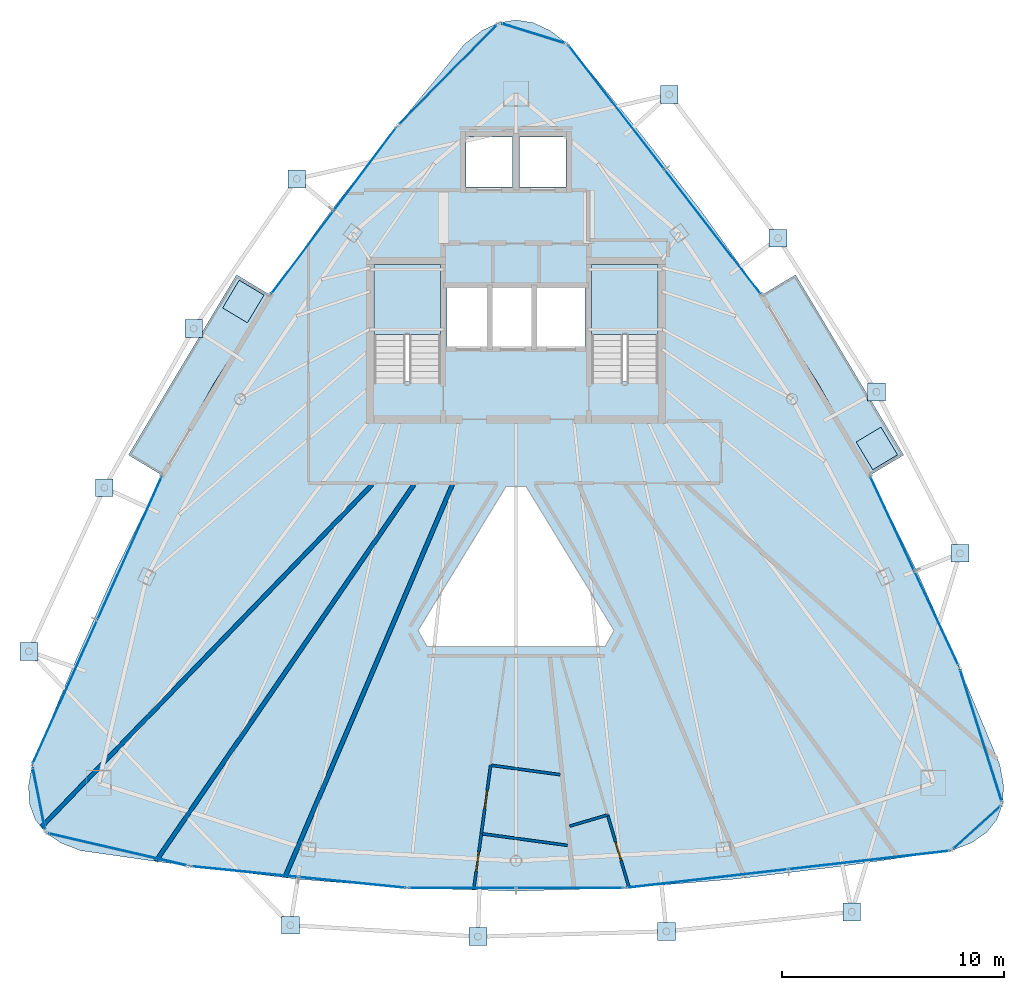
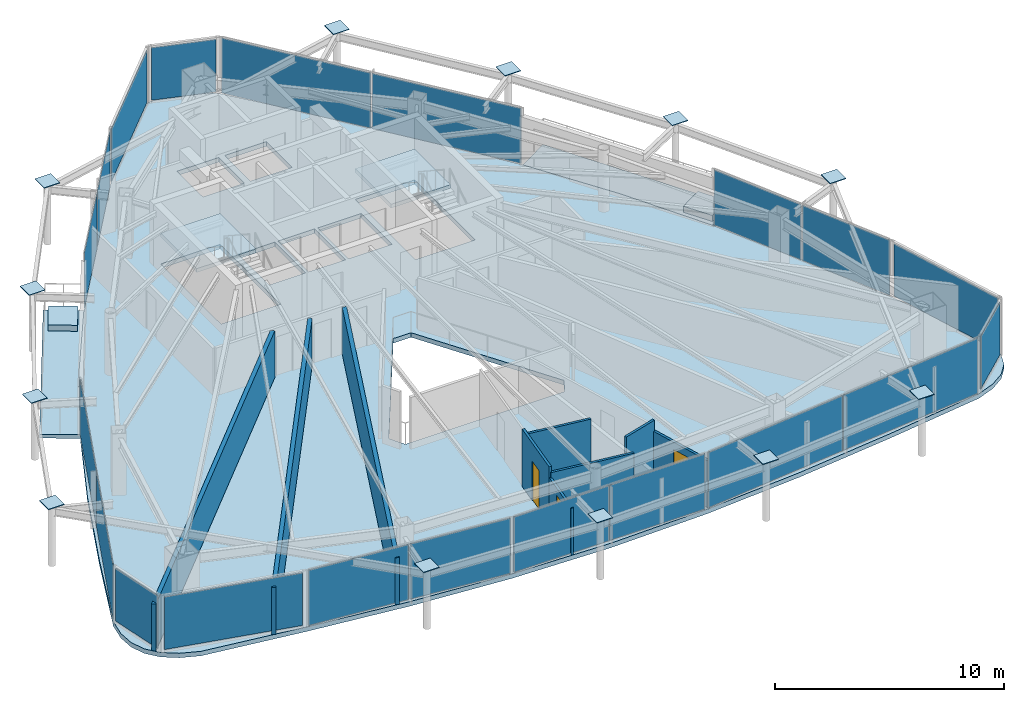
# One storey, part 24 of 28: 32 plates, 9 walls, 7 slabs, 3 doors, 3 openings, 15 elements without a shape of their own.
"""IFC4 building model written with IfcOpenShell, lengths in metres."""

from ifc_helpers import new_model, si_unit, direction, frame, frame_2d, origin, origin_2d, place, context, subcontext, project, spatial, polyline, rectangle, outline, extrude, material, layer, layer_set, type_object, element, fill, aggregate, save


model = new_model("IFC4")

# Units and contexts
model_context = context("Model", 3, precision=1e-05, world=origin(), true_north=direction((0.0, 1.0)))
body_context = subcontext(model_context, "Body", "Model", "MODEL_VIEW")
ifc_project = project(units=[si_unit("LENGTHUNIT", "METRE"), si_unit("AREAUNIT", "SQUARE_METRE"), si_unit("VOLUMEUNIT", "CUBIC_METRE"), si_unit("PLANEANGLEUNIT", "RADIAN"), si_unit("MASSUNIT", "GRAM", prefix="KILO")], contexts=[model_context])

# Site, building, storey
site_placement = place(None, origin())
site = spatial("IfcSite", under=ifc_project, at=site_placement, CompositionType="ELEMENT")
building_placement = place(site_placement, origin())
building = spatial("IfcBuilding", under=site, at=building_placement, Name="Orvanel Arch Residences", CompositionType="ELEMENT")
storey_placement = place(building_placement, frame((0.0, 0.0, 266.75)))
storey = spatial("IfcBuildingStorey", under=building, at=storey_placement, Name="L76", CompositionType="ELEMENT", Elevation=266.75)

# Plates
ifc_material_1 = material(Name="Structural steel AS/NZS 3678 Grade 350", Category="steel")
ifc_layer_1 = layer(ifc_material_1, 0.031982421875)
ifc_layer_set_1 = layer_set([ifc_layer_1], Name="Structural steel AS/NZS 3678 Grade 350")
plate_type_1 = type_object("IfcPlateType", Name="PL-CAP-32", PredefinedType="SHEET", material=ifc_layer_set_1)
for number, where, z_axis, x_axis, name in (
    (1, (23.123046875, 37.556884765625, 3.2841796875), (0.0, 0.0, 1.0), (1.0, 0.0, 0.0), "L76 hollow member end cap plate"),
    (2, (18.48095703125, 30.81689453125, 3.2841796875), (0.0, 0.0, 1.0), (1.0, 0.0, 0.0), "L76 hollow member end cap plate"),
    (3, (14.45703125, 23.65087890625, 3.2841796875), (0.0, 0.0, 1.0), (1.0, 0.0, 0.0), "L76 hollow member end cap plate"),
    (4, (11.05908203125, 16.277099609375, 3.2841796875), (0.0, 0.0, 1.0), (1.0, 0.0, 0.0), "L76 hollow member end cap plate"),
    (5, (22.8369140625, 3.944091796875, 3.2841796875), (0.0, 0.0, 1.0), (1.0, 0.0, 0.0), "L76 hollow member end cap plate"),
    (6, (31.281005859375, 3.430908203125, 3.2841796875), (0.0, 0.0, 1.0), (1.0, 0.0, 0.0), "L76 hollow member end cap plate"),
    (7, (39.77099609375, 3.6650390625, 3.2841796875), (0.0, 0.0, 1.0), (1.0, 0.0, 0.0), "L76 hollow member end cap plate"),
    (8, (48.12109375, 4.5439453125, 3.2841796875), (0.0, 0.0, 1.0), (1.0, 0.0, 0.0), "L76 hollow member end cap plate"),
    (9, (52.990966796875, 20.695068359375, 3.2841796875), (0.0, 0.0, 1.0), (1.0, 0.0, 0.0), "L76 hollow member end cap plate"),
    (10, (49.22998046875, 27.964111328125, 3.2841796875), (0.0, 0.0, 1.0), (1.0, 0.0, 0.0), "L76 hollow member end cap plate"),
    (11, (44.802978515625, 34.887939453125, 3.2841796875), (0.0, 0.0, 1.0), (1.0, 0.0, 0.0), "L76 hollow member end cap plate"),
    (12, (39.89697265625, 41.35693359375, 3.2841796875), (0.0, 0.0, 1.0), (1.0, 0.0, 0.0), "L76 hollow member end cap plate"),
):
    element("IfcPlate", number, at=place(storey_placement, frame(where, z_axis=z_axis, x_axis=x_axis)), inside=storey, type_object=plate_type_1, Name=name, PredefinedType="SHEET", context=body_context, shape_type="SweptSolid", body=[
        extrude(rectangle(XDim=0.800048828125, YDim=0.800048828125, at=origin_2d()), origin(), (0.0, 0.0, 1.0), 0.031982421875),
    ])

# Curtain wall, plates
ifc_material_2 = material(Name="Bronze-anodised aluminium AA6063-T6", Category="aluminium")
ifc_layer_2 = layer(ifc_material_2, 0.175048828125)
ifc_layer_set_2 = layer_set([ifc_layer_2], Name="Bronze-anodised aluminium AA6063-T6")
curtain_wall_type_1 = type_object("IfcCurtainWallType", Name="CW4-HI-SYS", PredefinedType="NOTDEFINED", material=ifc_layer_set_2)
curtain_wall_1_placement = place(storey_placement, origin())
curtain_wall_1 = element("IfcCurtainWall", 13, at=curtain_wall_1_placement, inside=storey, type_object=curtain_wall_type_1, Name="L76 CW4-HI-SYS Unitised Curtain Wall", PredefinedType="NOTDEFINED")
ifc_material_3 = material(Name="Double-glazed solar-control low-E safety glass", Category="glass")
ifc_layer_3 = layer(ifc_material_3, 0.028076171875)
ifc_layer_set_3 = layer_set([ifc_layer_3], Name="Double-glazed solar-control low-E safety glass")
plate_type_2 = type_object("IfcPlateType", Name="PNL-GLZ-28", PredefinedType="CURTAIN_PANEL", material=ifc_layer_set_3)
plate_1_placement = place(storey_placement, frame((26.206298828125, 38.007568359375, 0.06005859375), z_axis=(0.0, 0.0, 1.0), x_axis=(-0.60030390804, -0.799771978749, 0.0)))
plate_1 = element("IfcPlate", 14, at=plate_1_placement, type_object=plate_type_2, Name="CW-S4 panel 1.1", PredefinedType="CURTAIN_PANEL", context=body_context, shape_type="SweptSolid", body=[
    extrude(rectangle(XDim=4.64013671875, YDim=0.028076171875, at=origin_2d()), origin(), (0.0, 0.0, 1.0), 2.93994140625),
])
plate_2_placement = place(storey_placement, frame((23.3818359375, 34.244384765625, 0.06005859375), z_axis=(0.0, 0.0, 1.0), x_axis=(-0.60030390804, -0.799771978749, 0.0)))
plate_2 = element("IfcPlate", 15, at=plate_2_placement, type_object=plate_type_2, Name="CW-S4 panel 2.1", PredefinedType="CURTAIN_PANEL", context=body_context, shape_type="SweptSolid", body=[
    extrude(rectangle(XDim=4.64013671875, YDim=0.028076171875, at=origin_2d()), origin(), (0.0, 0.0, 1.0), 2.93994140625),
])
aggregate(curtain_wall_1, [plate_1, plate_2])

curtain_wall_2_placement = place(storey_placement, origin())
curtain_wall_2 = element("IfcCurtainWall", 16, at=curtain_wall_2_placement, inside=storey, type_object=curtain_wall_type_1, Name="L76 CW4-HI-SYS Unitised Curtain Wall", PredefinedType="NOTDEFINED")
plate_3_placement = place(storey_placement, frame((15.59375, 20.922607421875, 0.06005859375), z_axis=(0.0, 0.0, 1.0), x_axis=(-0.410078819456, -0.912050087349, 0.0)))
plate_3 = element("IfcPlate", 17, at=plate_3_placement, type_object=plate_type_2, Name="CW-S4 panel 1.1", PredefinedType="CURTAIN_PANEL", context=body_context, shape_type="SweptSolid", body=[
    extrude(rectangle(XDim=7.030517578125, YDim=0.028076171875, at=origin_2d()), origin(), (0.0, 0.0, 1.0), 2.93994140625),
])
plate_4_placement = place(storey_placement, frame((12.68408203125, 14.451416015625, 0.06005859375), z_axis=(0.0, 0.0, 1.0), x_axis=(-0.410078819456, -0.912050087349, 0.0)))
plate_4 = element("IfcPlate", 18, at=plate_4_placement, type_object=plate_type_2, Name="CW-S4 panel 2.1", PredefinedType="CURTAIN_PANEL", context=body_context, shape_type="SweptSolid", body=[
    extrude(rectangle(XDim=7.030517578125, YDim=0.028076171875, at=origin_2d()), origin(), (0.0, 0.0, 1.0), 2.93994140625),
])
aggregate(curtain_wall_2, [plate_3, plate_4])

curtain_wall_3_placement = place(storey_placement, origin())
curtain_wall_3 = element("IfcCurtainWall", 19, at=curtain_wall_3_placement, inside=storey, type_object=curtain_wall_type_1, Name="L76 CW4-HI-SYS Unitised Curtain Wall", PredefinedType="NOTDEFINED")
plate_5_placement = place(storey_placement, frame((20.7744140625, 6.356689453125, 0.06005859375), z_axis=(0.0, 0.0, 1.0), x_axis=(0.995007878099, -0.099796405352, 0.0)))
plate_5 = element("IfcPlate", 20, at=plate_5_placement, type_object=plate_type_2, Name="CW-S4 panel 1.1", PredefinedType="CURTAIN_PANEL", context=body_context, shape_type="SweptSolid", body=[
    extrude(rectangle(XDim=4.807373046875, YDim=0.028076171875, at=origin_2d()), origin(), (0.0, 0.0, 1.0), 2.93994140625),
])
plate_6_placement = place(storey_placement, frame((25.62255859375, 5.870361328125, 0.06005859375), z_axis=(0.0, 0.0, 1.0), x_axis=(0.995007878099, -0.099796405352, 0.0)))
plate_6 = element("IfcPlate", 21, at=plate_6_placement, type_object=plate_type_2, Name="CW-S4 panel 2.1", PredefinedType="CURTAIN_PANEL", context=body_context, shape_type="SweptSolid", body=[
    extrude(rectangle(XDim=4.807373046875, YDim=0.028076171875, at=origin_2d()), origin(), (0.0, 0.0, 1.0), 2.93994140625),
])
aggregate(curtain_wall_3, [plate_5, plate_6])

curtain_wall_4_placement = place(storey_placement, origin())
curtain_wall_4 = element("IfcCurtainWall", 22, at=curtain_wall_4_placement, inside=storey, type_object=curtain_wall_type_1, Name="L76 CW4-HI-SYS Unitised Curtain Wall", PredefinedType="NOTDEFINED")
plate_7_placement = place(storey_placement, frame((30.57568359375, 5.6220703125, 0.06005859375), z_axis=(0.0, 0.0, 1.0), x_axis=(1.0, 0.0, 0.0)))
plate_7 = element("IfcPlate", 23, at=plate_7_placement, type_object=plate_type_2, Name="CW-S4 panel 1.1", PredefinedType="CURTAIN_PANEL", context=body_context, shape_type="SweptSolid", body=[
    extrude(rectangle(XDim=4.783447265625, YDim=0.028076171875, at=origin_2d()), origin(), (0.0, 0.0, 1.0), 2.93994140625),
])
plate_8_placement = place(storey_placement, frame((35.42431640625, 5.6220703125, 0.06005859375), z_axis=(0.0, 0.0, 1.0), x_axis=(1.0, 0.0, 0.0)))
plate_8 = element("IfcPlate", 24, at=plate_8_placement, type_object=plate_type_2, Name="CW-S4 panel 2.1", PredefinedType="CURTAIN_PANEL", context=body_context, shape_type="SweptSolid", body=[
    extrude(rectangle(XDim=4.783447265625, YDim=0.028076171875, at=origin_2d()), origin(), (0.0, 0.0, 1.0), 2.93994140625),
])
aggregate(curtain_wall_4, [plate_7, plate_8])

curtain_wall_5_placement = place(storey_placement, origin())
curtain_wall_5 = element("IfcCurtainWall", 25, at=curtain_wall_5_placement, inside=storey, type_object=curtain_wall_type_1, Name="L76 CW4-HI-SYS Unitised Curtain Wall", PredefinedType="NOTDEFINED")
plate_9_placement = place(storey_placement, frame((41.602294921875, 6.044677734375, 0.06005859375), z_axis=(0.0, 0.0, 1.0), x_axis=(0.993536822126, 0.113510277415, 0.0)))
plate_9 = element("IfcPlate", 26, at=plate_9_placement, type_object=plate_type_2, Name="CW-S4 panel 1.1", PredefinedType="CURTAIN_PANEL", context=body_context, shape_type="SweptSolid", body=[
    extrude(rectangle(XDim=7.28076171875, YDim=0.028076171875, at=origin_2d()), origin(), (0.0, 0.0, 1.0), 2.93994140625),
])
plate_10_placement = place(storey_placement, frame((48.900634765625, 6.87841796875, 0.06005859375), z_axis=(0.0, 0.0, 1.0), x_axis=(0.993536822126, 0.113510277415, 0.0)))
plate_10 = element("IfcPlate", 27, at=plate_10_placement, type_object=plate_type_2, Name="CW-S4 panel 2.1", PredefinedType="CURTAIN_PANEL", context=body_context, shape_type="SweptSolid", body=[
    extrude(rectangle(XDim=7.28076171875, YDim=0.028076171875, at=origin_2d()), origin(), (0.0, 0.0, 1.0), 2.93994140625),
])
aggregate(curtain_wall_5, [plate_9, plate_10])

curtain_wall_6_placement = place(storey_placement, origin())
curtain_wall_6 = element("IfcCurtainWall", 28, at=curtain_wall_6_placement, inside=storey, type_object=curtain_wall_type_1, Name="L76 CW4-HI-SYS Unitised Curtain Wall", PredefinedType="NOTDEFINED")
plate_11_placement = place(storey_placement, frame((51.93798828125, 17.76318359375, 0.06005859375), z_axis=(0.0, 0.0, 1.0), x_axis=(-0.423076106083, 0.906094149888, 0.0)))
plate_11 = element("IfcPlate", 29, at=plate_11_placement, type_object=plate_type_2, Name="CW-S4 panel 1.1", PredefinedType="CURTAIN_PANEL", context=body_context, shape_type="SweptSolid", body=[
    extrude(rectangle(XDim=4.640380859375, YDim=0.028076171875, at=origin_2d()), origin(), (0.0, 0.0, 1.0), 2.93994140625),
])
plate_12_placement = place(storey_placement, frame((49.947021484375, 22.02685546875, 0.06005859375), z_axis=(0.0, 0.0, 1.0), x_axis=(-0.423076106083, 0.906094149888, 0.0)))
plate_12 = element("IfcPlate", 30, at=plate_12_placement, type_object=plate_type_2, Name="CW-S4 panel 2.1", PredefinedType="CURTAIN_PANEL", context=body_context, shape_type="SweptSolid", body=[
    extrude(rectangle(XDim=4.640380859375, YDim=0.028076171875, at=origin_2d()), origin(), (0.0, 0.0, 1.0), 2.93994140625),
])
aggregate(curtain_wall_6, [plate_11, plate_12])

curtain_wall_7_placement = place(storey_placement, origin())
curtain_wall_7 = element("IfcCurtainWall", 31, at=curtain_wall_7_placement, inside=storey, type_object=curtain_wall_type_1, Name="L76 CW4-HI-SYS Unitised Curtain Wall", PredefinedType="NOTDEFINED")
plate_13_placement = place(storey_placement, frame((41.860595703125, 35.16943359375, 0.06005859375), z_axis=(0.0, 0.0, 1.0), x_axis=(-0.611587251509, 0.791176992709, 0.0)))
plate_13 = element("IfcPlate", 32, at=plate_13_placement, type_object=plate_type_2, Name="CW-S4 panel 1.1", PredefinedType="CURTAIN_PANEL", context=body_context, shape_type="SweptSolid", body=[
    extrude(rectangle(XDim=7.02978515625, YDim=0.028076171875, at=origin_2d()), origin(), (0.0, 0.0, 1.0), 2.93994140625),
])
plate_14_placement = place(storey_placement, frame((37.521484375, 40.78271484375, 0.06005859375), z_axis=(0.0, 0.0, 1.0), x_axis=(-0.611587251509, 0.791176992709, 0.0)))
plate_14 = element("IfcPlate", 33, at=plate_14_placement, type_object=plate_type_2, Name="CW-S4 panel 2.1", PredefinedType="CURTAIN_PANEL", context=body_context, shape_type="SweptSolid", body=[
    extrude(rectangle(XDim=7.02978515625, YDim=0.028076171875, at=origin_2d()), origin(), (0.0, 0.0, 1.0), 2.93994140625),
])
aggregate(curtain_wall_7, [plate_13, plate_14])

# Curtain wall, plate
ifc_layer_4 = layer(ifc_material_2, 0.18994140625)
ifc_layer_set_4 = layer_set([ifc_layer_4], Name="Bronze-anodised aluminium AA6063-T6")
curtain_wall_type_2 = type_object("IfcCurtainWallType", Name="CW5-CRN-SYS", PredefinedType="NOTDEFINED", material=ifc_layer_set_4)
curtain_wall_8_placement = place(storey_placement, origin())
curtain_wall_8 = element("IfcCurtainWall", 34, at=curtain_wall_8_placement, inside=storey, type_object=curtain_wall_type_2, Name="L76 CW5-CRN-SYS Unitised Curtain Wall", PredefinedType="NOTDEFINED")
ifc_layer_5 = layer(ifc_material_3, 0.031982421875)
ifc_layer_set_5 = layer_set([ifc_layer_5], Name="Double-glazed solar-control low-E safety glass")
plate_type_3 = type_object("IfcPlateType", Name="PNL-GLZ-32", PredefinedType="CURTAIN_PANEL", material=ifc_layer_set_5)
plate_15_placement = place(storey_placement, frame((33.7734375, 44.112060546875, 0.1298828125), z_axis=(0.0, 0.0, 1.0), x_axis=(-0.95489617321, 0.296939890194, 0.0)))
plate_15 = element("IfcPlate", 35, at=plate_15_placement, type_object=plate_type_3, Name="CW-S5 panel 1.1", PredefinedType="CURTAIN_PANEL", context=body_context, shape_type="SweptSolid", body=[
    extrude(rectangle(XDim=2.8994140625, YDim=0.031982421875, at=origin_2d()), origin(), (0.0, 0.0, 1.0), 2.800048828125),
])
aggregate(curtain_wall_8, [plate_15])

curtain_wall_9_placement = place(storey_placement, origin())
curtain_wall_9 = element("IfcCurtainWall", 36, at=curtain_wall_9_placement, inside=storey, type_object=curtain_wall_type_2, Name="L76 CW5-CRN-SYS Unitised Curtain Wall", PredefinedType="NOTDEFINED")
plate_16_placement = place(storey_placement, frame((29.9384765625, 42.261962890625, 0.1298828125), z_axis=(0.0, 0.0, 1.0), x_axis=(-0.700531625722, -0.713621357138, 0.0)))
plate_16 = element("IfcPlate", 37, at=plate_16_placement, type_object=plate_type_3, Name="CW-S5 panel 1.1", PredefinedType="CURTAIN_PANEL", context=body_context, shape_type="SweptSolid", body=[
    extrude(rectangle(XDim=6.193603515625, YDim=0.031982421875, at=origin_2d()), origin(), (0.0, 0.0, 1.0), 2.800048828125),
])
aggregate(curtain_wall_9, [plate_16])

curtain_wall_10_placement = place(storey_placement, origin())
curtain_wall_10 = element("IfcCurtainWall", 38, at=curtain_wall_10_placement, inside=storey, type_object=curtain_wall_type_2, Name="L76 CW5-CRN-SYS Unitised Curtain Wall", PredefinedType="NOTDEFINED")
plate_17_placement = place(storey_placement, frame((11.512939453125, 9.638427734375, 0.1298828125), z_axis=(0.0, 0.0, 1.0), x_axis=(0.195553879253, -0.980692959243, 0.0)))
plate_17 = element("IfcPlate", 39, at=plate_17_placement, type_object=plate_type_3, Name="CW-S5 panel 1.1", PredefinedType="CURTAIN_PANEL", context=body_context, shape_type="SweptSolid", body=[
    extrude(rectangle(XDim=2.7783203125, YDim=0.031982421875, at=origin_2d()), origin(), (0.0, 0.0, 1.0), 2.800048828125),
])
aggregate(curtain_wall_10, [plate_17])

curtain_wall_11_placement = place(storey_placement, origin())
curtain_wall_11 = element("IfcCurtainWall", 40, at=curtain_wall_11_placement, inside=storey, type_object=curtain_wall_type_2, Name="L76 CW5-CRN-SYS Unitised Curtain Wall", PredefinedType="NOTDEFINED")
plate_18_placement = place(storey_placement, frame((15.05810546875, 7.35693359375, 0.1298828125), z_axis=(0.0, 0.0, 1.0), x_axis=(0.974145951661, -0.225919598226, 0.0)))
plate_18 = element("IfcPlate", 41, at=plate_18_placement, type_object=plate_type_3, Name="CW-S5 panel 1.1", PredefinedType="CURTAIN_PANEL", context=body_context, shape_type="SweptSolid", body=[
    extrude(rectangle(XDim=6.31298828125, YDim=0.031982421875, at=origin_2d()), origin(), (0.0, 0.0, 1.0), 2.800048828125),
])
aggregate(curtain_wall_11, [plate_18])

curtain_wall_12_placement = place(storey_placement, origin())
curtain_wall_12 = element("IfcCurtainWall", 42, at=curtain_wall_12_placement, inside=storey, type_object=curtain_wall_type_2, Name="L76 CW5-CRN-SYS Unitised Curtain Wall", PredefinedType="NOTDEFINED")
plate_19_placement = place(storey_placement, frame((53.757080078125, 8.349609375, 0.1298828125), z_axis=(0.0, 0.0, 1.0), x_axis=(0.740219127016, 0.672365707037, 0.0)))
plate_19 = element("IfcPlate", 43, at=plate_19_placement, type_object=plate_type_3, Name="CW-S5 panel 1.1", PredefinedType="CURTAIN_PANEL", context=body_context, shape_type="SweptSolid", body=[
    extrude(rectangle(XDim=2.7802734375, YDim=0.031982421875, at=origin_2d()), origin(), (0.0, 0.0, 1.0), 2.800048828125),
])
aggregate(curtain_wall_12, [plate_19])

curtain_wall_13_placement = place(storey_placement, origin())
curtain_wall_13 = element("IfcCurtainWall", 44, at=curtain_wall_13_placement, inside=storey, type_object=curtain_wall_type_2, Name="L76 CW5-CRN-SYS Unitised Curtain Wall", PredefinedType="NOTDEFINED")
plate_20_placement = place(storey_placement, frame((53.93359375, 12.490966796875, 0.1298828125), z_axis=(0.0, 0.0, 1.0), x_axis=(-0.30162859532, 0.953425503375, 0.0)))
plate_20 = element("IfcPlate", 45, at=plate_20_placement, type_object=plate_type_3, Name="CW-S5 panel 1.1", PredefinedType="CURTAIN_PANEL", context=body_context, shape_type="SweptSolid", body=[
    extrude(rectangle(XDim=6.1484375, YDim=0.031982421875, at=origin_2d()), origin(), (0.0, 0.0, 1.0), 2.800048828125),
])
aggregate(curtain_wall_13, [plate_20])

# Slabs
ifc_material_4 = material(Name="Concrete N40 (40 MPa)", Category="concrete")
ifc_layer_6 = layer(ifc_material_4, 0.199951171875)
ifc_layer_set_6 = layer_set([ifc_layer_6], Name="Concrete N40 (40 MPa)")
slab_type_1 = type_object("IfcSlabType", Name="SLB-BAL-200", PredefinedType="FLOOR", material=ifc_layer_set_6)
slab_1_placement = place(storey_placement, frame((0.0, 0.0, -0.199951171875)))
element("IfcSlab", 46, at=slab_1_placement, inside=storey, type_object=slab_type_1, Name="L76 Cantilevered Balcony Slab Face 3", PredefinedType="FLOOR", context=body_context, shape_type="SweptSolid", body=[
    extrude(outline(polyline([(50.45703125, 25.12109375), (45.587890625, 33.237060546875), (44.06201171875, 32.321044921875), (46.614990234375, 28.333984375), (48.929931640625, 24.2060546875), (50.45703125, 25.12109375)])), origin(), (0.0, 0.0, 1.0), 0.199951171875),
])
slab_2_placement = place(storey_placement, frame((0.0, 0.0, -0.199951171875)))
element("IfcSlab", 47, at=slab_2_placement, inside=storey, type_object=slab_type_1, Name="L76 Cantilevered Balcony Slab Face 1", PredefinedType="FLOOR", context=body_context, shape_type="SweptSolid", body=[
    extrude(outline(polyline([(20.412109375, 33.237060546875), (15.54296875, 25.12109375), (17.070068359375, 24.2060546875), (19.385009765625, 28.333984375), (21.93798828125, 32.321044921875), (20.412109375, 33.237060546875)])), origin(), (0.0, 0.0, 1.0), 0.199951171875),
])

# Stair, slab
ifc_material_5 = material(Name="Precast concrete N50 (50 MPa)", Category="concrete")
stair_type = type_object("IfcStairType", Name="STR-DOG-184", PredefinedType="USERDEFINED", material=ifc_material_5)
stair_1_placement = place(storey_placement, origin())
stair_1 = element("IfcStair", 48, at=stair_1_placement, inside=storey, type_object=stair_type, Name="L76 Fire-Isolated Core Exit Stair 1", ObjectType="TWO_RETURN_STAIR", PredefinedType="USERDEFINED")
ifc_layer_7 = layer(ifc_material_4, 0.199951171875)
ifc_layer_set_7 = layer_set([ifc_layer_7], Name="Concrete N40 (40 MPa)")
slab_type_2 = type_object("IfcSlabType", Name="SLB-LND-200", PredefinedType="LANDING", material=ifc_layer_set_7)
slab_3_placement = place(storey_placement, frame((0.0, 0.0, 1.449951171875)))
slab_3 = element("IfcSlab", 49, at=slab_3_placement, type_object=slab_type_2, Name="ST-1 landing 1", PredefinedType="LANDING", context=body_context, shape_type="SweptSolid", body=[
    extrude(outline(polyline([(29.60009765625, 30.56005859375), (29.60009765625, 33.699951171875), (26.60009765625, 33.699951171875), (26.60009765625, 30.56005859375), (29.60009765625, 30.56005859375)])), origin(), (0.0, 0.0, 1.0), 0.199951171875),
])
aggregate(stair_1, [slab_3])

stair_2_placement = place(storey_placement, origin())
stair_2 = element("IfcStair", 50, at=stair_2_placement, inside=storey, type_object=stair_type, Name="L76 Fire-Isolated Core Exit Stair 2", ObjectType="TWO_RETURN_STAIR", PredefinedType="USERDEFINED")
slab_4_placement = place(storey_placement, frame((0.0, 0.0, 1.449951171875)))
slab_4 = element("IfcSlab", 51, at=slab_4_placement, type_object=slab_type_2, Name="ST-2 landing 1", PredefinedType="LANDING", context=body_context, shape_type="SweptSolid", body=[
    extrude(outline(polyline([(39.39990234375, 30.56005859375), (39.39990234375, 33.699951171875), (36.39990234375, 33.699951171875), (36.39990234375, 30.56005859375), (39.39990234375, 30.56005859375)])), origin(), (0.0, 0.0, 1.0), 0.199951171875),
])
aggregate(stair_2, [slab_4])

# Slabs
ifc_material_6 = material(Name="Structural architectural precast concrete N40 (40 MPa) planter", Category="concrete")
ifc_layer_8 = layer(ifc_material_6, 0.320068359375)
ifc_layer_set_8 = layer_set([ifc_layer_8], Name="Structural architectural precast concrete N40 (40 MPa) planter")
slab_type_3 = type_object("IfcSlabType", Name="SLB-PLN-320", PredefinedType="USERDEFINED", material=ifc_layer_set_8)
slab_5_placement = place(storey_placement, origin())
element("IfcSlab", 52, at=slab_5_placement, inside=storey, type_object=slab_type_3, Name="L76 Balcony TREE PLANTER Face 3", ObjectType="PLANTER", PredefinedType="USERDEFINED", context=body_context, shape_type="SweptSolid", body=[
    extrude(outline(polyline([(50.181884765625, 25.131103515625), (49.43603515625, 26.375), (48.321044921875, 25.7060546875), (49.06689453125, 24.462890625), (50.181884765625, 25.131103515625)])), origin(), (0.0, 0.0, 1.0), 0.320068359375),
])
slab_6_placement = place(storey_placement, origin())
element("IfcSlab", 53, at=slab_6_placement, inside=storey, type_object=slab_type_3, Name="L76 Balcony TREE PLANTER Face 1", ObjectType="PLANTER", PredefinedType="USERDEFINED", context=body_context, shape_type="SweptSolid", body=[
    extrude(outline(polyline([(20.531982421875, 32.989990234375), (19.785888671875, 31.74609375), (20.90087890625, 31.077880859375), (21.64599609375, 32.321044921875), (20.531982421875, 32.989990234375)])), origin(), (0.0, 0.0, 1.0), 0.320068359375),
])
ifc_layer_9 = layer(ifc_material_4, 0.239990234375)
ifc_layer_set_9 = layer_set([ifc_layer_9], Name="Concrete N40 (40 MPa)")
slab_type_4 = type_object("IfcSlabType", Name="SLB-TYP-240", PredefinedType="FLOOR", material=ifc_layer_set_9)
slab_7_placement = place(storey_placement, frame((0.0, 0.0, -0.239990234375)))
element("IfcSlab", 54, at=slab_7_placement, inside=storey, type_object=slab_type_4, Name="L76 Tower Floor Slab", PredefinedType="FLOOR", context=body_context, shape_type="SweptSolid", body=[
    extrude(outline(polyline([(35.320068359375, 43.631103515625), (34.547119140625, 44.23193359375), (33.77294921875, 44.593017578125), (33.0, 44.714111328125), (32.22705078125, 44.593017578125), (31.452880859375, 44.23193359375), (30.679931640625, 43.631103515625), (27.64990234375, 39.930908203125), (24.7099609375, 36.176025390625), (21.93798828125, 32.321044921875), (19.385009765625, 28.333984375), (17.070068359375, 24.2060546875), (14.97412109375, 19.945068359375), (13.044921875, 15.583984375), (11.2080078125, 11.16796875), (11.041015625, 10.222900390625), (11.087890625, 9.39794921875), (11.346923828125, 8.693115234375), (11.818115234375, 8.10888671875), (12.501953125, 7.64501953125), (13.39794921875, 7.301025390625), (18.298095703125, 6.60498046875), (23.198974609375, 6.01611328125), (28.09912109375, 5.6220703125), (33.0, 5.48291015625), (37.90087890625, 5.6220703125), (42.801025390625, 6.01611328125), (47.701904296875, 6.60498046875), (52.60205078125, 7.301025390625), (53.498046875, 7.64501953125), (54.181884765625, 8.10888671875), (54.654052734375, 8.693115234375), (54.912109375, 9.39794921875), (54.958984375, 10.222900390625), (54.7919921875, 11.16796875), (52.955078125, 15.583984375), (51.02587890625, 19.945068359375), (48.929931640625, 24.2060546875), (46.614990234375, 28.333984375), (44.06201171875, 32.321044921875), (41.2900390625, 36.176025390625), (38.35009765625, 39.930908203125), (35.320068359375, 43.631103515625)]), holes=[polyline([(26.60009765625, 28.429931640625), (26.60009765625, 33.699951171875), (29.60009765625, 33.699951171875), (29.60009765625, 28.429931640625), (26.60009765625, 28.429931640625)]), polyline([(36.39990234375, 28.429931640625), (36.39990234375, 33.699951171875), (39.39990234375, 33.699951171875), (39.39990234375, 28.429931640625), (36.39990234375, 28.429931640625)]), polyline([(29.89990234375, 32.64990234375), (31.75, 32.64990234375), (31.75, 29.949951171875), (29.89990234375, 29.949951171875), (29.89990234375, 32.64990234375)]), polyline([(31.89990234375, 32.64990234375), (33.75, 32.64990234375), (33.75, 29.949951171875), (31.89990234375, 29.949951171875), (31.89990234375, 32.64990234375)]), polyline([(33.89990234375, 32.64990234375), (36.10009765625, 32.64990234375), (36.10009765625, 29.949951171875), (33.89990234375, 29.949951171875), (33.89990234375, 32.64990234375)]), polyline([(30.75, 39.449951171875), (32.85009765625, 39.449951171875), (32.85009765625, 37.199951171875), (30.75, 37.199951171875), (30.75, 39.449951171875)]), polyline([(33.14990234375, 39.449951171875), (35.25, 39.449951171875), (35.25, 37.199951171875), (33.14990234375, 37.199951171875), (33.14990234375, 39.449951171875)]), polyline([(37.416015625, 17.219970703125), (37.006103515625, 16.488037109375), (28.993896484375, 16.488037109375), (28.583984375, 17.219970703125), (32.552978515625, 23.7119140625), (33.447021484375, 23.7119140625), (37.416015625, 17.219970703125)])]), origin(), (0.0, 0.0, 1.0), 0.239990234375),
])

# Walls
ifc_material_7 = material(Name="Fire-rated plasterboard lined steel stud partition", Category="steel")
ifc_layer_10 = layer(ifc_material_7, 0.199951171875)
ifc_layer_set_10 = layer_set([ifc_layer_10], Name="Fire-rated plasterboard lined steel stud partition")
wall_type_1 = type_object("IfcWallType", Name="W-DEM-200", PredefinedType="PARTITIONING", material=ifc_layer_set_10)
wall_1_placement = place(storey_placement, frame((26.52001953125, 23.7900390625, 0.0), z_axis=(0.0, 0.0, 1.0), x_axis=(-0.694637190704, -0.719360252788, 0.0)))
element("IfcWall", 55, at=wall_1_placement, inside=storey, type_object=wall_type_1, Name="L76 Inter-Tenancy Acoustic Demising Wall", PredefinedType="PARTITIONING", context=body_context, shape_type="SweptSolid", body=[
    extrude(rectangle(XDim=21.438720703125, YDim=0.199951171875, at=frame_2d((10.71923828125, 0.0))), origin(), (0.0, 0.0, 1.0), 2.491943359375),
])
wall_2_placement = place(storey_placement, frame((22.589111328125, 6.10400390625, 0.0), z_axis=(0.0, 0.0, 1.0), x_axis=(0.392518309842, 0.919744190761, 0.0)))
element("IfcWall", 56, at=wall_2_placement, inside=storey, type_object=wall_type_1, Name="L76 Inter-Tenancy Acoustic Demising Wall", PredefinedType="PARTITIONING", context=body_context, shape_type="SweptSolid", body=[
    extrude(rectangle(XDim=19.229248046875, YDim=0.199951171875, at=frame_2d((9.61474609375, 0.0))), origin(), (0.0, 0.0, 1.0), 2.491943359375),
])
wall_3_placement = place(storey_placement, frame((16.783935546875, 6.833984375, 0.0), z_axis=(0.0, 0.0, 1.0), x_axis=(0.565235631435, 0.824929500598, 0.0)))
element("IfcWall", 57, at=wall_3_placement, inside=storey, type_object=wall_type_1, Name="L76 Inter-Tenancy Acoustic Demising Wall", PredefinedType="PARTITIONING", context=body_context, shape_type="SweptSolid", body=[
    extrude(rectangle(XDim=20.554443359375, YDim=0.199951171875, at=frame_2d((10.27734375, 0.0))), origin(), (0.0, 0.0, 1.0), 2.491943359375),
])

# Wall, opening, door
ifc_material_8 = material(Name="Acoustic plasterboard lined twin-stud partition", Category="gypsum")
ifc_layer_11 = layer(ifc_material_8, 0.1201171875)
ifc_layer_set_11 = layer_set([ifc_layer_11], Name="Acoustic plasterboard lined twin-stud partition")
wall_type_2 = type_object("IfcWallType", Name="W-WET-120", PredefinedType="PARTITIONING", material=ifc_layer_set_11)
wall_4_placement = place(storey_placement, frame((31.85595703125, 11.14990234375, 0.0), z_axis=(0.0, 0.0, 1.0), x_axis=(-0.134650977284, -0.990893089246, 0.0)))
wall_4 = element("IfcWall", 58, at=wall_4_placement, inside=storey, type_object=wall_type_2, Name="L76 Studio A Bathroom Partition", PredefinedType="PARTITIONING", context=body_context, shape_type="SweptSolid", body=[
    extrude(rectangle(XDim=3.111328125, YDim=0.1201171875, at=frame_2d((1.5556640625, 0.0))), origin(), (0.0, 0.0, 1.0), 3.06005859375),
])
opening_1_placement = place(wall_4_placement, frame((1.14599609375, 0.0, 0.0)))
opening_1 = element("IfcOpeningElement", 59, at=opening_1_placement, cuts=wall_4, Name="Opening DW-082", PredefinedType="OPENING", context=body_context, shape_type="SweptSolid", body=[
    extrude(rectangle(XDim=0.820068359375, YDim=2.10009765625, at=frame_2d((0.41015625, 1.050048828125))), frame((0.0, 0.070068359375, 0.0), z_axis=(0.0, -1.0, 0.0), x_axis=(1.0, 0.0, 0.0)), (0.0, 0.0, 1.0), 0.14013671875),
])
ifc_material_9 = material(Name="Solid-core European oak veneer fire door leaf", Category="wood")
door_type_1 = type_object("IfcDoorType", Name="DR-WET-820", OperationType="NOTDEFINED", PredefinedType="DOOR", material=ifc_material_9)
door_1_placement = place(opening_1_placement, origin())
door_1 = element("IfcDoor", 60, at=door_1_placement, inside=storey, type_object=door_type_1, Name="DR-L76-A-BATH L76 Studio A Bathroom Door", OperationType="SINGLE_SWING_RIGHT", OverallHeight=2.10009765625, OverallWidth=0.820068359375, PredefinedType="DOOR", context=body_context, shape_type="SweptSolid", body=[
    extrude(rectangle(XDim=0.820068359375, YDim=2.10009765625, at=frame_2d((0.41015625, 1.050048828125))), frame((0.0, 0.02490234375, 0.0), z_axis=(0.0, -1.0, 0.0), x_axis=(1.0, 0.0, 0.0)), (0.0, 0.0, 1.0), 0.050048828125),
])
fill(opening_1, door_1)

wall_5_placement = place(storey_placement, frame((31.43701171875, 8.06689453125, 0.0), z_axis=(0.0, 0.0, 1.0), x_axis=(-0.134765499074, -0.990877520312, 0.0)))
wall_5 = element("IfcWall", 61, at=wall_5_placement, inside=storey, type_object=wall_type_2, Name="L76 Studio A Internal Partition", PredefinedType="PARTITIONING", context=body_context, shape_type="SweptSolid", body=[
    extrude(rectangle(XDim=2.5380859375, YDim=0.1201171875, at=frame_2d((1.26904296875, 0.0))), origin(), (0.0, 0.0, 1.0), 2.491943359375),
])
opening_2_placement = place(wall_5_placement, frame((0.8291015625, 0.0, 0.0)))
opening_2 = element("IfcOpeningElement", 62, at=opening_2_placement, cuts=wall_5, Name="Opening DI-088", PredefinedType="OPENING", context=body_context, shape_type="SweptSolid", body=[
    extrude(rectangle(XDim=0.8798828125, YDim=2.10009765625, at=frame_2d((0.43994140625, 1.050048828125))), frame((0.0, 0.070068359375, 0.0), z_axis=(0.0, -1.0, 0.0), x_axis=(1.0, 0.0, 0.0)), (0.0, 0.0, 1.0), 0.14013671875),
])
door_type_2 = type_object("IfcDoorType", Name="DR-INT-880", OperationType="NOTDEFINED", PredefinedType="DOOR", material=ifc_material_9)
door_2_placement = place(opening_2_placement, origin())
door_2 = element("IfcDoor", 63, at=door_2_placement, inside=storey, type_object=door_type_2, Name="DR-L76-A-KIT L76 Studio A Kitchenette Door", OperationType="SINGLE_SWING_LEFT", OverallHeight=2.10009765625, OverallWidth=0.8798828125, PredefinedType="DOOR", context=body_context, shape_type="SweptSolid", body=[
    extrude(rectangle(XDim=0.8798828125, YDim=2.10009765625, at=frame_2d((0.43994140625, 1.050048828125))), frame((0.0, 0.02490234375, 0.0), z_axis=(0.0, -1.0, 0.0), x_axis=(1.0, 0.0, 0.0)), (0.0, 0.0, 1.0), 0.050048828125),
])
fill(opening_2, door_2)

# Walls
wall_6_placement = place(storey_placement, frame((35.327880859375, 7.5380859375, 0.0), z_axis=(0.0, 0.0, 1.0), x_axis=(-0.990890227425, 0.134672035678, 0.0)))
element("IfcWall", 64, at=wall_6_placement, inside=storey, type_object=wall_type_2, Name="L76 Studio A Bathroom Partition", PredefinedType="PARTITIONING", context=body_context, shape_type="SweptSolid", body=[
    extrude(rectangle(XDim=3.9267578125, YDim=0.1201171875, at=frame_2d((1.96337890625, 0.0))), origin(), (0.0, 0.0, 1.0), 2.77294921875),
])
wall_7_placement = place(storey_placement, frame((31.85595703125, 11.14990234375, 0.0), z_axis=(0.0, 0.0, 1.0), x_axis=(0.990862518896, -0.13487575263, 0.0)))
element("IfcWall", 65, at=wall_7_placement, inside=storey, type_object=wall_type_2, Name="L76 Studio A Bathroom Partition", PredefinedType="PARTITIONING", context=body_context, shape_type="SweptSolid", body=[
    extrude(rectangle(XDim=3.165771484375, YDim=0.1201171875, at=frame_2d((1.5830078125, 0.0))), origin(), (0.0, 0.0, 1.0), 2.77294921875),
])

# Wall, opening, door
wall_8_placement = place(storey_placement, frame((38.0869140625, 5.65087890625, 0.0), z_axis=(0.0, 0.0, 1.0), x_axis=(-0.28300230386, 0.959119229299, 0.0)))
wall_8 = element("IfcWall", 66, at=wall_8_placement, inside=storey, type_object=wall_type_2, Name="L76 Studio D Internal Partition", PredefinedType="PARTITIONING", context=body_context, shape_type="SweptSolid", body=[
    extrude(rectangle(XDim=3.39892578125, YDim=0.1201171875, at=frame_2d((1.699462890625, 0.0))), origin(), (0.0, 0.0, 1.0), 2.491943359375),
])
opening_3_placement = place(wall_8_placement, frame((1.259033203125, 0.0, 0.0)))
opening_3 = element("IfcOpeningElement", 67, at=opening_3_placement, cuts=wall_8, Name="Opening DI-088", PredefinedType="OPENING", context=body_context, shape_type="SweptSolid", body=[
    extrude(rectangle(XDim=0.8798828125, YDim=2.10009765625, at=frame_2d((0.43994140625, 1.050048828125))), frame((0.0, 0.070068359375, 0.0), z_axis=(0.0, -1.0, 0.0), x_axis=(1.0, 0.0, 0.0)), (0.0, 0.0, 1.0), 0.14013671875),
])
door_3_placement = place(opening_3_placement, origin())
door_3 = element("IfcDoor", 68, at=door_3_placement, inside=storey, type_object=door_type_2, Name="DR-L76-D-KIT L76 Studio D Kitchenette Door", OperationType="SINGLE_SWING_LEFT", OverallHeight=2.10009765625, OverallWidth=0.8798828125, PredefinedType="DOOR", context=body_context, shape_type="SweptSolid", body=[
    extrude(rectangle(XDim=0.8798828125, YDim=2.10009765625, at=frame_2d((0.43994140625, 1.050048828125))), frame((0.0, 0.02490234375, 0.0), z_axis=(0.0, -1.0, 0.0), x_axis=(1.0, 0.0, 0.0)), (0.0, 0.0, 1.0), 0.050048828125),
])
fill(opening_3, door_3)

# Wall
wall_9_placement = place(storey_placement, frame((37.1240234375, 8.910888671875, 0.0), z_axis=(0.0, 0.0, 1.0), x_axis=(-0.959045510231, -0.283252024362, 0.0)))
element("IfcWall", 69, at=wall_9_placement, inside=storey, type_object=wall_type_2, Name="L76 Studio D Bathroom Partition", PredefinedType="PARTITIONING", context=body_context, shape_type="SweptSolid", body=[
    extrude(rectangle(XDim=1.789306640625, YDim=0.1201171875, at=frame_2d((0.89453125, 0.0))), origin(), (0.0, 0.0, 1.0), 3.06005859375),
])

save(model, "model.ifc")
